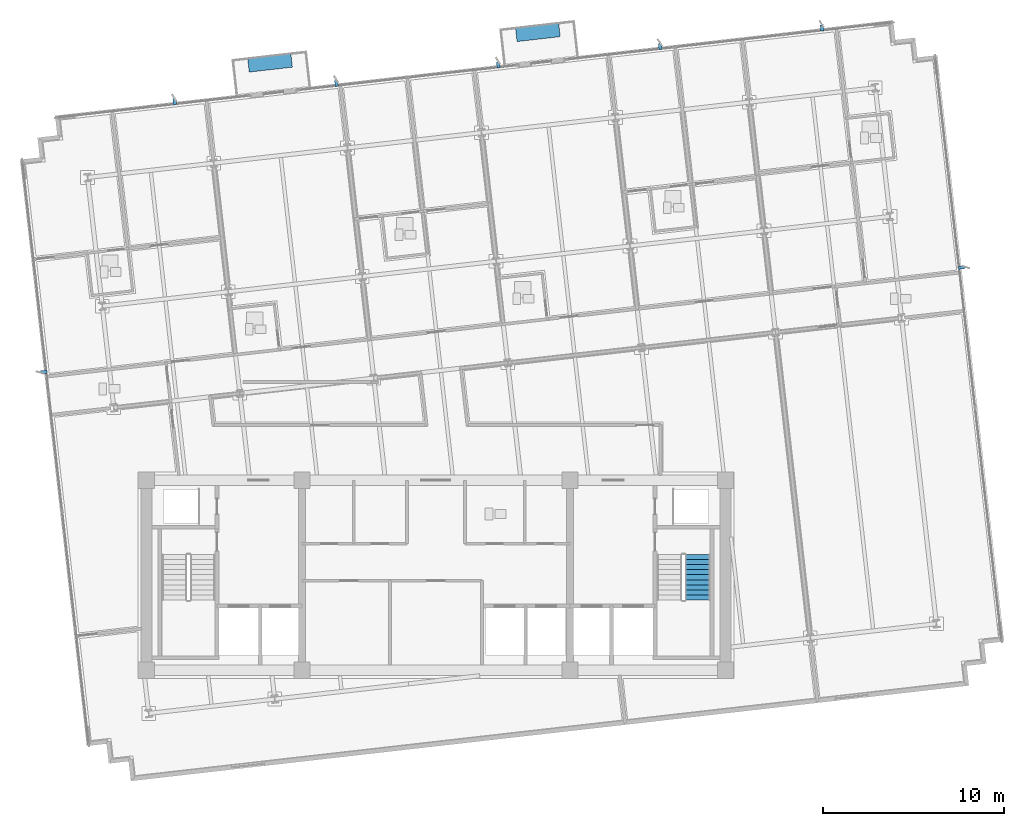
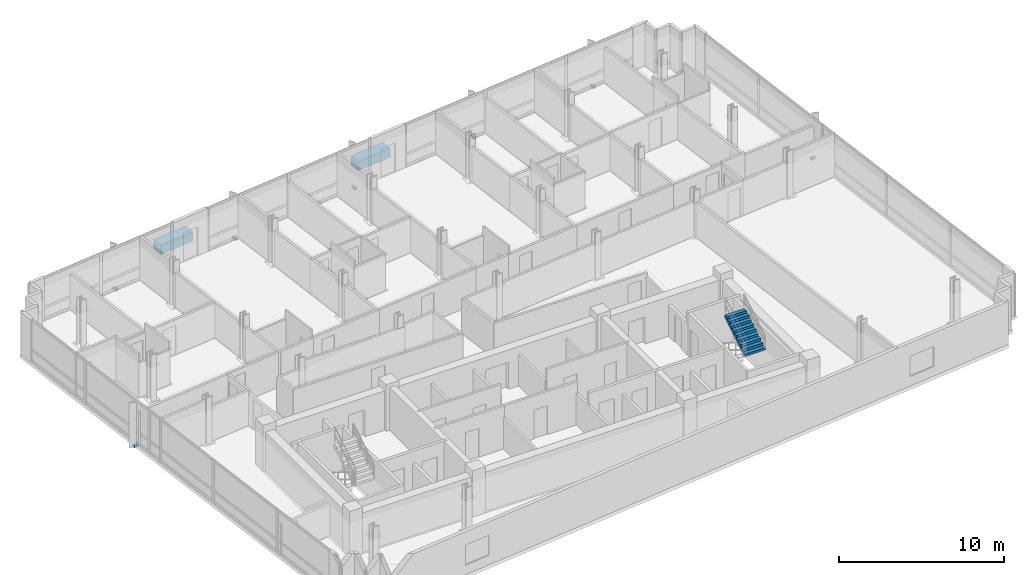
# One storey, part 12 of 17: 9 discrete accessories, 1 stair flight, 1 element without a shape of its own.
"""IFC4 building model written with IfcOpenShell, lengths in metres."""

from ifc_helpers import new_model, si_unit, direction, frame, origin, origin_2d, place, context, subcontext, project, spatial, polyline, rectangle, outline, extrude, material, type_object, element, aggregate, save


model = new_model("IFC4")

# Units and contexts
model_context = context("Model", 3, precision=1e-05, world=origin(), true_north=direction((0.0, 1.0)))
body_context = subcontext(model_context, "Body", "Model", "MODEL_VIEW")
ifc_project = project(units=[si_unit("LENGTHUNIT", "METRE"), si_unit("AREAUNIT", "SQUARE_METRE"), si_unit("VOLUMEUNIT", "CUBIC_METRE"), si_unit("PLANEANGLEUNIT", "RADIAN"), si_unit("MASSUNIT", "GRAM", prefix="KILO")], contexts=[model_context])

# Site, building, storey
site_placement = place(None, origin())
site = spatial("IfcSite", under=ifc_project, at=site_placement, CompositionType="ELEMENT")
building_placement = place(site_placement, origin())
building = spatial("IfcBuilding", under=site, at=building_placement, Name="Solmavex Isthmus Hotel", CompositionType="ELEMENT")
storey_placement = place(building_placement, frame((0.0, 0.0, 202.050048828125)))
storey = spatial("IfcBuildingStorey", under=building, at=storey_placement, Name="L54", CompositionType="ELEMENT", Elevation=202.050048828125)

# Stair, stair flight
ifc_material_1 = material(Name="Concrete C40/50", Category="concrete")
stair_type = type_object("IfcStairType", Name="STR-ST-2", PredefinedType="HALF_TURN_STAIR", material=ifc_material_1)
stair_placement = place(storey_placement, origin())
stair = element("IfcStair", 1, at=stair_placement, inside=storey, type_object=stair_type, Name="L54 Protected Exit Stair ST-2", PredefinedType="HALF_TURN_STAIR")
stair_flight_type = type_object("IfcStairFlightType", Name="SFL-ST-2", PredefinedType="STRAIGHT", material=ifc_material_1)
stair_flight_placement = place(storey_placement, frame((14.449951171875, -9.1201171875, 1.724853515625), z_axis=(0.0, 0.0, 1.0), x_axis=(0.0, 1.0, 0.0)))
stair_flight = element("IfcStairFlight", 2, at=stair_flight_placement, type_object=stair_flight_type, Name="ST-2 flight 2", NumberOfRisers=10, NumberOfTreads=9, PredefinedType="STRAIGHT", RiserHeight=0.1725, TreadLength=0.28, context=body_context, shape_type="SweptSolid", body=[
    extrude(outline(polyline([(0.0, 0.0), (0.0, 0.172607421875), (0.280029296875, 0.172607421875), (0.280029296875, 0.344970703125), (0.56005859375, 0.344970703125), (0.56005859375, 0.517578125), (0.840087890625, 0.517578125), (0.840087890625, 0.68994140625), (1.1201171875, 0.68994140625), (1.1201171875, 0.862548828125), (1.39990234375, 0.862548828125), (1.39990234375, 1.034912109375), (1.679931640625, 1.034912109375), (1.679931640625, 1.20751953125), (1.9599609375, 1.20751953125), (1.9599609375, 1.3798828125), (2.239990234375, 1.3798828125), (2.239990234375, 1.552490234375), (2.52001953125, 1.552490234375), (2.52001953125, 1.72509765625), (2.52001953125, 1.37646484375), (0.285888671875, 0.0), (0.0, 0.0)])), frame((0.0, 0.699951171875, 0.0), z_axis=(0.0, -1.0, 0.0), x_axis=(1.0, 0.0, 0.0)), (0.0, 0.0, 1.0), 1.39990234375),
])
aggregate(stair, [stair_flight])

# Discrete accessories
ifc_material_2 = material(Name="Steel ASTM A572 Grade 50", Category="steel")
discrete_accessory_type_1 = type_object("IfcDiscreteAccessoryType", Name="ACC-BRK-FIN", PredefinedType="BRACKET", material=ifc_material_2)
for number, where, z_axis, x_axis, name in (
    (3, (-14.439453125, 18.416015625, -0.169921875), (0.0, 0.0, 1.0), (-0.113203213768, 0.993571855677, 0.0), "Facade Fin Support Bracket L54-N1"),
    (4, (-5.497314453125, 19.43505859375, -0.169921875), (0.0, 0.0, 1.0), (-0.113203213768, 0.993571855677, 0.0), "Facade Fin Support Bracket L54-N2"),
    (5, (3.44482421875, 20.453857421875, -0.169921875), (0.0, 0.0, 1.0), (-0.113203213768, 0.993571855677, 0.0), "Facade Fin Support Bracket L54-N3"),
    (6, (12.386962890625, 21.47265625, -0.169921875), (0.0, 0.0, 1.0), (-0.113203213768, 0.993571855677, 0.0), "Facade Fin Support Bracket L54-N4"),
    (7, (21.3291015625, 22.491455078125, -0.169921875), (0.0, 0.0, 1.0), (-0.113203213768, 0.993571855677, 0.0), "Facade Fin Support Bracket L54-N5"),
    (8, (-21.665283203125, 3.482177734375, -0.169921875), (0.0, 0.0, 1.0), (-0.993571855677, -0.113203213768, 0.0), "Facade Fin Support Bracket L54-W1"),
    (9, (29.046630859375, 9.260009765625, -0.169921875), (0.0, 0.0, 1.0), (0.993571855677, 0.113203213768, 0.0), "Facade Fin Support Bracket L54-E1"),
):
    element("IfcDiscreteAccessory", number, at=place(storey_placement, frame(where, z_axis=z_axis, x_axis=x_axis)), inside=storey, type_object=discrete_accessory_type_1, Name=name, PredefinedType="BRACKET", context=body_context, shape_type="SweptSolid", body=[
        extrude(rectangle(XDim=0.340087890625, YDim=0.179931640625, at=origin_2d()), origin(), (0.0, 0.0, 1.0), 0.159912109375),
    ])
ifc_material_3 = material(Name="Precast Concrete C40/50", Category="concrete")
discrete_accessory_type_2 = type_object("IfcDiscreteAccessoryType", Name="ACC-PLN-BALC", PredefinedType="USERDEFINED", material=ifc_material_3)
for number, where, z_axis, x_axis, name in (
    (10, (-9.1669921875, 20.556640625, 0.0), (0.0, 0.0, 1.0), (0.993571855677, 0.113203213768, 0.0), "Tree-Balcony Architectural Planter L54-B1"),
    (11, (5.62939453125, 22.24267578125, 0.0), (0.0, 0.0, 1.0), (0.993571855677, 0.113203213768, 0.0), "Tree-Balcony Architectural Planter L54-B2"),
):
    element("IfcDiscreteAccessory", number, at=place(storey_placement, frame(where, z_axis=z_axis, x_axis=x_axis)), inside=storey, type_object=discrete_accessory_type_2, Name=name, ObjectType="PLANTER", PredefinedType="USERDEFINED", context=body_context, shape_type="SweptSolid", body=[
        extrude(rectangle(XDim=2.39990234375, YDim=0.75, at=origin_2d()), origin(), (0.0, 0.0, 1.0), 0.699951171875),
    ])

save(model, "model.ifc")
